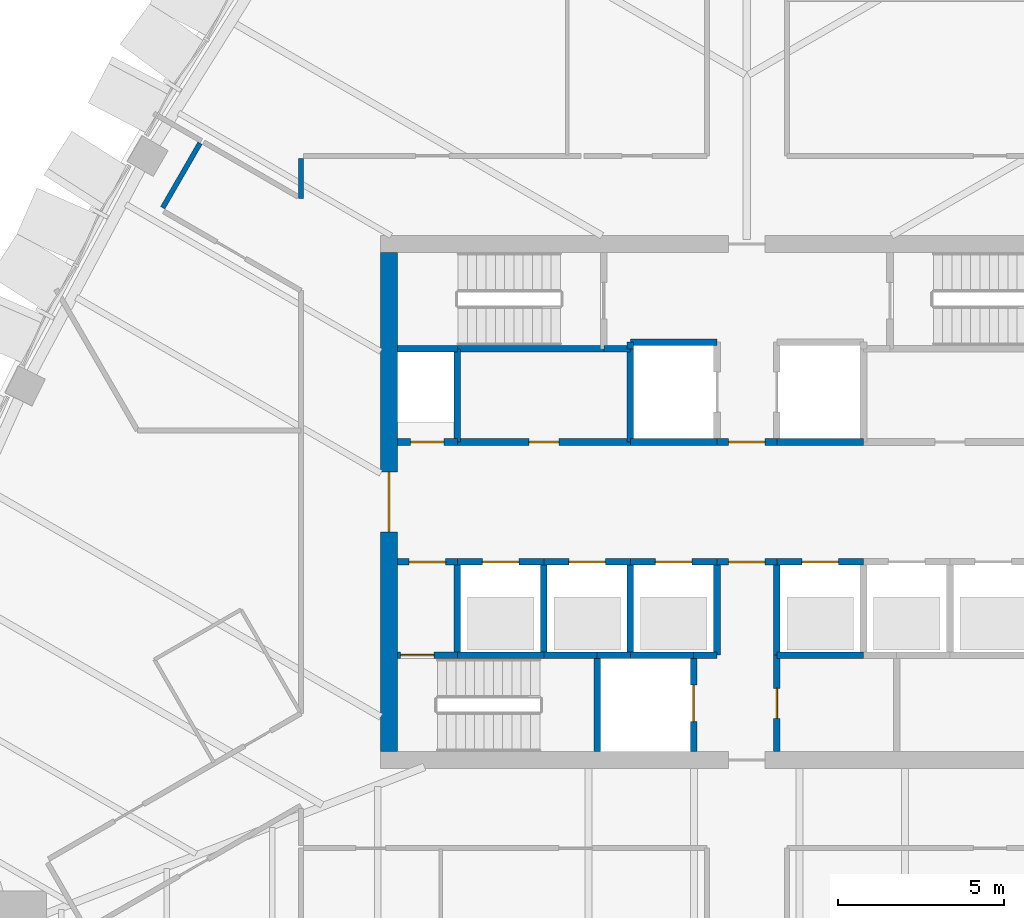
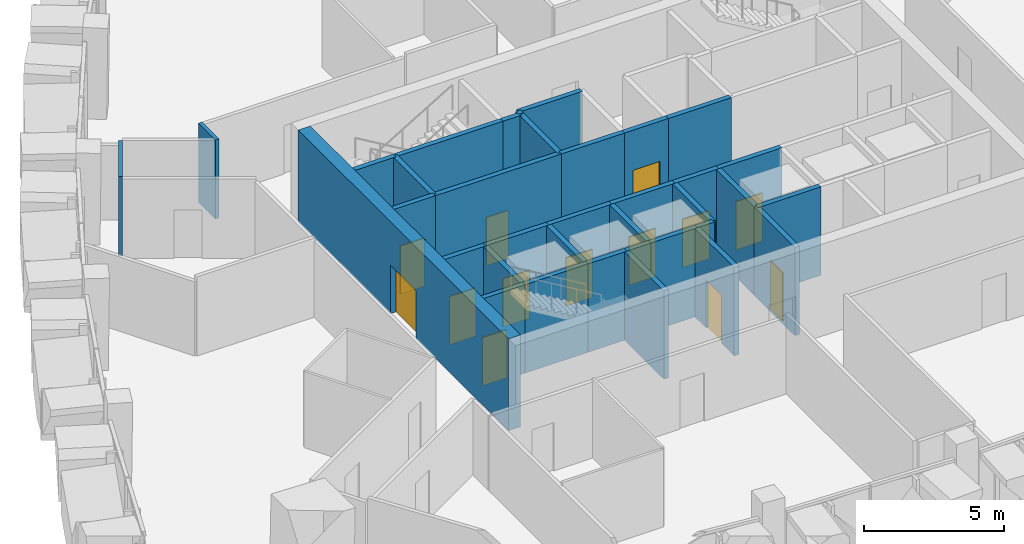
# One storey, part 13 of 19: 36 walls, 13 doors, 13 openings.
"""IFC4 building model written with IfcOpenShell, lengths in metres."""

import ifcopenshell
import ifcopenshell.guid

model = None  # the IFC model being written
_history = None  # IfcOwnerHistory: only IFC2X3 demands one
_inside = {}  # id of a spatial element -> (the spatial element, [elements in it])
_under = {}  # id of a project, library or spatial element -> (it, [spatial elements below it])
_declared = {}  # id of a project -> (the project, [libraries it declares])
_typed = {}  # id of a type object -> (the type object, [elements of that type])
_made_of = {}  # id of a material, layer set ... -> (it, [elements and type objects made of it])


def new_model(schema):
    """Start an empty IFC model of exactly this schema.

    Asked for "IFC4X3", IfcOpenShell would pick the latest addendum, in which some entities
    have other attributes; the version numbers below select the first issue.
    IFC2X3 requires an IfcOwnerHistory on every rooted entity: one is made here for all.
    """
    global model, _history
    if schema == "IFC4X3":
        model = ifcopenshell.file(schema_version=(4, 3, 0, 0))
    else:
        model = ifcopenshell.file(schema=schema)
    _inside.clear()
    _under.clear()
    _declared.clear()
    _typed.clear()
    _made_of.clear()
    _history = None
    if model.schema == "IFC2X3":
        org = make("IfcOrganization", Name="unknown")
        user = make(
            "IfcPersonAndOrganization",
            ThePerson=make("IfcPerson", FamilyName="unknown"),
            TheOrganization=org,
        )
        app = make(
            "IfcApplication",
            ApplicationDeveloper=org,
            Version="unknown",
            ApplicationFullName="unknown",
            ApplicationIdentifier="unknown",
        )
        _history = make(
            "IfcOwnerHistory",
            OwningUser=user,
            OwningApplication=app,
            ChangeAction="ADDED",
            CreationDate=0,
        )
    return model


def make(cls, **values):
    """One entity of the class cls with the attributes given. An attribute that is None is left unset."""
    return model.create_entity(
        cls, **{name: value for name, value in values.items() if value is not None}
    )


def rooted(cls, **values):
    """An entity with a GlobalId (a new one), such as an element, a storey or a relation."""
    return make(cls, GlobalId=ifcopenshell.guid.new(), OwnerHistory=_history, **values)


def si_unit(unit_type, name, prefix=None):
    """IfcSIUnit, for example si_unit("LENGTHUNIT", "METRE", prefix="MILLI")."""
    return make("IfcSIUnit", UnitType=unit_type, Prefix=prefix, Name=name)


def assignment(units):
    """IfcUnitAssignment: the units of a project."""
    return None if units is None else make("IfcUnitAssignment", Units=units)


def point(xyz):
    """IfcCartesianPoint."""
    return None if xyz is None else make("IfcCartesianPoint", Coordinates=xyz)


def direction(xyz):
    """IfcDirection."""
    return None if xyz is None else make("IfcDirection", DirectionRatios=xyz)


def frame(location, z_axis=None, x_axis=None):
    """IfcAxis2Placement3D, a coordinate frame: its origin and axes. An axis left out is left unset."""
    return make(
        "IfcAxis2Placement3D",
        Location=point(location),
        Axis=direction(z_axis),
        RefDirection=direction(x_axis),
    )


def frame_2d(location, x_axis=None):
    """IfcAxis2Placement2D, a coordinate frame in the plane: its origin and x axis."""
    return make(
        "IfcAxis2Placement2D", Location=point(location), RefDirection=direction(x_axis)
    )


def origin():
    """The frame at (0, 0, 0) with its axes left unset."""
    return frame((0.0, 0.0, 0.0))


def place(relative_to, where):
    """IfcLocalPlacement: puts the frame where relative to a parent placement (None: the world)."""
    return make(
        "IfcLocalPlacement", PlacementRelTo=relative_to, RelativePlacement=where
    )


def context(
    kind, dimensions, precision=None, world=None, true_north=None, identifier=None
):
    """IfcGeometricRepresentationContext, for example the 3D "Model" context."""
    return make(
        "IfcGeometricRepresentationContext",
        ContextIdentifier=identifier,
        ContextType=kind,
        CoordinateSpaceDimension=dimensions,
        Precision=precision,
        WorldCoordinateSystem=world,
        TrueNorth=true_north,
    )


def subcontext(parent, identifier, kind, view, scale=None):
    """IfcGeometricRepresentationSubContext, for example "Body" below "Model"."""
    return make(
        "IfcGeometricRepresentationSubContext",
        ContextIdentifier=identifier,
        ContextType=kind,
        ParentContext=parent,
        TargetScale=scale,
        TargetView=view,
    )


def project(units=None, contexts=None):
    """IfcProject with its units and contexts."""
    return rooted(
        "IfcProject",
        Name="project",
        RepresentationContexts=contexts,
        UnitsInContext=assignment(units),
    )


def spatial(cls, under=None, at=None, **own):
    """A site, building, storey or space (cls), placed at a placement, below another one or the project."""
    s = rooted(cls, ObjectPlacement=at, **own)
    if under is not None:
        _under.setdefault(under.id(), (under, []))[1].append(s)
    return s


def profile(cls, at=None, kind="AREA", **sizes):
    """A parametric profile (cls). Its sizes go by their IFC names, for example OverallWidth=200.0."""
    return make(cls, ProfileType=kind, Position=at, **sizes)


def rectangle(**sizes):
    """IfcRectangleProfileDef."""
    return profile("IfcRectangleProfileDef", **sizes)


def extrude(swept, where, along, depth):
    """IfcExtrudedAreaSolid: the profile swept, set in the frame where, extruded along a direction by depth."""
    return make(
        "IfcExtrudedAreaSolid",
        SweptArea=swept,
        Position=where,
        ExtrudedDirection=direction(along),
        Depth=depth,
    )


def shape(context_of_items, identifier, shape_type, items):
    """IfcShapeRepresentation: the items that make up one representation, for example the "Body"."""
    return make(
        "IfcShapeRepresentation",
        ContextOfItems=context_of_items,
        RepresentationIdentifier=identifier,
        RepresentationType=shape_type,
        Items=items,
    )


def material(Name=None, Category=None):
    """IfcMaterial."""
    return make("IfcMaterial", Name=Name, Category=Category)


def layer(
    of_material, thickness, ventilated=None, Name=None, Category=None, Priority=None
):
    """IfcMaterialLayer: one layer of a wall or slab, of a material (None: an air gap)."""
    return make(
        "IfcMaterialLayer",
        Material=of_material,
        LayerThickness=thickness,
        IsVentilated=ventilated,
        Name=Name,
        Category=Category,
        Priority=Priority,
    )


def layer_set(layers, Name=None):
    """IfcMaterialLayerSet."""
    return make("IfcMaterialLayerSet", MaterialLayers=layers, LayerSetName=Name)


def made_of(thing, what):
    """Note that an element or type object is made of a material, layer set ...; save() writes the relation."""
    if what is not None:
        _made_of.setdefault(what.id(), (what, []))[1].append(thing)
    return thing


def type_object(cls, material=None, **own):
    """A type object (cls), such as IfcWallType, which elements share."""
    return made_of(rooted(cls, **own), material)


def element(
    cls,
    number,
    at=None,
    inside=None,
    cuts=None,
    type_object=None,
    material=None,
    context=None,
    identifier="Body",
    shape_type=None,
    held_by="IfcProductDefinitionShape",
    body=None,
    shapes=None,
    **own,
):
    """One element of the class cls, such as IfcWall. Its Tag is "e" and its number.

    at: its placement. inside: the storey or other place that contains it. cuts: it is an
    opening in that element (IfcRelVoidsElement). A single representation is given by context,
    identifier, shape_type and body (its items); several are given by shapes. held_by: the class
    of the entity that holds the representations. save() writes the other relations.
    """
    e = rooted(cls, Tag="e%d" % number, ObjectPlacement=at, **own)
    if body is not None:
        shapes = [shape(context, identifier, shape_type, body)]
    if shapes is not None:
        e.Representation = make(held_by, Representations=shapes)
    if inside is not None:
        _inside.setdefault(inside.id(), (inside, []))[1].append(e)
    if cuts is not None:
        rooted(
            "IfcRelVoidsElement", RelatingBuildingElement=cuts, RelatedOpeningElement=e
        )
    if type_object is not None:
        _typed.setdefault(type_object.id(), (type_object, []))[1].append(e)
    return made_of(e, material)


def fill(opening, filler):
    """IfcRelFillsElement: the door or window that sits in an opening."""
    return rooted(
        "IfcRelFillsElement",
        RelatingOpeningElement=opening,
        RelatedBuildingElement=filler,
    )


def aggregate(whole, parts):
    """IfcRelAggregates: a whole, such as a stair, and the parts it consists of."""
    return rooted("IfcRelAggregates", RelatingObject=whole, RelatedObjects=parts)


def save(model, path):
    """Write the relations noted so far, then the file.

    IfcRelAggregates (storeys below a building ...), IfcRelContainedInSpatialStructure (elements
    in a storey), IfcRelDefinesByType, IfcRelAssociatesMaterial and IfcRelDeclares: one each for
    every whole, place, type object, material and project.
    """
    for whole, parts in _under.values():
        aggregate(whole, parts)
    for where, things in _inside.values():
        rooted(
            "IfcRelContainedInSpatialStructure",
            RelatedElements=things,
            RelatingStructure=where,
        )
    for kind, things in _typed.values():
        rooted("IfcRelDefinesByType", RelatedObjects=things, RelatingType=kind)
    for what, things in _made_of.values():
        rooted("IfcRelAssociatesMaterial", RelatedObjects=things, RelatingMaterial=what)
    for by, libraries in _declared.values():
        rooted("IfcRelDeclares", RelatingContext=by, RelatedDefinitions=libraries)
    model.write(path)


model = new_model("IFC4")

# Units and contexts
model_context = context("Model", 3, precision=1e-05, world=origin(), true_north=direction((0.0, 1.0)))
body_context = subcontext(model_context, "Body", "Model", "MODEL_VIEW")
ifc_project = project(units=[si_unit("LENGTHUNIT", "METRE"), si_unit("AREAUNIT", "SQUARE_METRE"), si_unit("VOLUMEUNIT", "CUBIC_METRE"), si_unit("PLANEANGLEUNIT", "RADIAN"), si_unit("MASSUNIT", "GRAM", prefix="KILO")], contexts=[model_context])

# Site, building, storey
site_placement = place(None, origin())
site = spatial("IfcSite", under=ifc_project, at=site_placement, CompositionType="ELEMENT")
building_placement = place(site_placement, origin())
building = spatial("IfcBuilding", under=site, at=building_placement, Name="Sierra Prisma Convention Tower", CompositionType="ELEMENT")
storey_placement = place(building_placement, frame((0.0, 0.0, 235.0)))
storey = spatial("IfcBuildingStorey", under=building, at=storey_placement, Name="L52", CompositionType="ELEMENT", Elevation=235.0)

# Wall, opening, door
ifc_material_1 = material(Name="Concrete C30/37", Category="concrete")
ifc_layer_1 = layer(ifc_material_1, 0.199951171875)
ifc_layer_set_1 = layer_set([ifc_layer_1], Name="Core wall RC 200 C30/37")
wall_type_1 = type_object("IfcWallType", Name="Core wall RC 200 C30/37", PredefinedType="SOLIDWALL", material=ifc_layer_set_1)
wall_1_placement = place(storey_placement, frame((-10.5, -4.60009765625, 0.0), z_axis=(0.0, 0.0, 1.0), x_axis=(1.0, 0.0, 0.0)))
wall_1 = element("IfcWall", 1, at=wall_1_placement, inside=storey, type_object=wall_type_1, Name="Core wall L52 1", PredefinedType="SOLIDWALL", context=body_context, shape_type="SweptSolid", body=[
    extrude(rectangle(XDim=1.800048828125, YDim=0.199951171875, at=frame_2d((0.89990234375, 0.0))), origin(), (0.0, 0.0, 1.0), 3.85009765625),
])
opening_1_placement = place(wall_1_placement, frame((0.10009765625, 0.0, 0.0)))
opening_1 = element("IfcOpeningElement", 2, at=opening_1_placement, cuts=wall_1, Name="Opening L52-D015", PredefinedType="OPENING", context=body_context, shape_type="SweptSolid", body=[
    extrude(rectangle(XDim=1.0, YDim=2.10009765625, at=frame_2d((0.5, 1.050048828125))), frame((0.0, 0.10009765625, 0.0), z_axis=(0.0, -1.0, 0.0), x_axis=(1.0, 0.0, 0.0)), (0.0, 0.0, 1.0), 0.199951171875),
])
ifc_material_2 = material(Name="Steel fire door leaf", Category="steel")
door_type_1 = type_object("IfcDoorType", Name="Door 1000x2100 FD90S", OperationType="SINGLE_SWING_LEFT", PredefinedType="DOOR", material=ifc_material_2)
door_1_placement = place(opening_1_placement, origin())
door_1 = element("IfcDoor", 3, at=door_1_placement, inside=storey, type_object=door_type_1, Name="Door L52 31", OperationType="SINGLE_SWING_LEFT", OverallHeight=2.10009765625, OverallWidth=1.0, PredefinedType="DOOR", context=body_context, shape_type="SweptSolid", body=[
    extrude(rectangle(XDim=1.0, YDim=2.10009765625, at=frame_2d((0.5, 1.050048828125))), frame((0.0, 0.02490234375, 0.0), z_axis=(0.0, -1.0, 0.0), x_axis=(1.0, 0.0, 0.0)), (0.0, 0.0, 1.0), 0.050048828125),
])
fill(opening_1, door_1)

wall_2_placement = place(storey_placement, frame((-10.5, -1.800048828125, 0.0), z_axis=(0.0, 0.0, 1.0), x_axis=(1.0, 0.0, 0.0)))
wall_2 = element("IfcWall", 4, at=wall_2_placement, inside=storey, type_object=wall_type_1, Name="Core wall L52 2", PredefinedType="SOLIDWALL", context=body_context, shape_type="SweptSolid", body=[
    extrude(rectangle(XDim=1.800048828125, YDim=0.199951171875, at=frame_2d((0.89990234375, 0.0))), origin(), (0.0, 0.0, 1.0), 3.85009765625),
])
opening_2_placement = place(wall_2_placement, frame((0.35009765625, 0.0, 0.0)))
opening_2 = element("IfcOpeningElement", 5, at=opening_2_placement, cuts=wall_2, Name="Opening L52-D010", PredefinedType="OPENING", context=body_context, shape_type="SweptSolid", body=[
    extrude(rectangle(XDim=1.10009765625, YDim=2.10009765625, at=frame_2d((0.550048828125, 1.050048828125))), frame((0.0, 0.10009765625, 0.0), z_axis=(0.0, -1.0, 0.0), x_axis=(1.0, 0.0, 0.0)), (0.0, 0.0, 1.0), 0.199951171875),
])
ifc_material_3 = material(Name="Steel fire door leaf", Category="steel")
door_type_2 = type_object("IfcDoorType", Name="Door 1100x2100 FD90S", OperationType="SINGLE_SWING_LEFT", PredefinedType="DOOR", material=ifc_material_3)
door_2_placement = place(opening_2_placement, origin())
door_2 = element("IfcDoor", 6, at=door_2_placement, inside=storey, type_object=door_type_2, Name="Door L52 26", OperationType="SINGLE_SWING_RIGHT", OverallHeight=2.10009765625, OverallWidth=1.10009765625, PredefinedType="DOOR", context=body_context, shape_type="SweptSolid", body=[
    extrude(rectangle(XDim=1.10009765625, YDim=2.10009765625, at=frame_2d((0.550048828125, 1.050048828125))), frame((0.0, 0.02490234375, 0.0), z_axis=(0.0, -1.0, 0.0), x_axis=(1.0, 0.0, 0.0)), (0.0, 0.0, 1.0), 0.050048828125),
])
fill(opening_2, door_2)

wall_3_placement = place(storey_placement, frame((-8.699951171875, 1.800048828125, 0.0), z_axis=(0.0, 0.0, 1.0), x_axis=(-1.0, 0.0, 0.0)))
wall_3 = element("IfcWall", 7, at=wall_3_placement, inside=storey, type_object=wall_type_1, Name="Core wall L52 3", PredefinedType="SOLIDWALL", context=body_context, shape_type="SweptSolid", body=[
    extrude(rectangle(XDim=1.800048828125, YDim=0.199951171875, at=frame_2d((0.89990234375, 0.0))), origin(), (0.0, 0.0, 1.0), 3.85009765625),
])
opening_3_placement = place(wall_3_placement, frame((0.39990234375, 0.0, 0.0)))
opening_3 = element("IfcOpeningElement", 8, at=opening_3_placement, cuts=wall_3, Name="Opening L52-D013", PredefinedType="OPENING", context=body_context, shape_type="SweptSolid", body=[
    extrude(rectangle(XDim=1.0, YDim=2.10009765625, at=frame_2d((0.5, 1.050048828125))), frame((0.0, 0.10009765625, 0.0), z_axis=(0.0, -1.0, 0.0), x_axis=(1.0, 0.0, 0.0)), (0.0, 0.0, 1.0), 0.199951171875),
])
ifc_material_4 = material(Name="Steel fire door leaf", Category="steel")
door_type_3 = type_object("IfcDoorType", Name="Door 1000x2100 FD60S", OperationType="SINGLE_SWING_LEFT", PredefinedType="DOOR", material=ifc_material_4)
door_3_placement = place(opening_3_placement, origin())
door_3 = element("IfcDoor", 9, at=door_3_placement, inside=storey, type_object=door_type_3, Name="Door L52 29", OperationType="SINGLE_SWING_LEFT", OverallHeight=2.10009765625, OverallWidth=1.0, PredefinedType="DOOR", context=body_context, shape_type="SweptSolid", body=[
    extrude(rectangle(XDim=1.0, YDim=2.10009765625, at=frame_2d((0.5, 1.050048828125))), frame((0.0, 0.02490234375, 0.0), z_axis=(0.0, -1.0, 0.0), x_axis=(1.0, 0.0, 0.0)), (0.0, 0.0, 1.0), 0.050048828125),
])
fill(opening_3, door_3)

# Walls
wall_4_placement = place(storey_placement, frame((-8.699951171875, 4.60009765625, 0.0), z_axis=(0.0, 0.0, 1.0), x_axis=(-1.0, 0.0, 0.0)))
element("IfcWall", 10, at=wall_4_placement, inside=storey, type_object=wall_type_1, Name="Core wall L52 4", PredefinedType="SOLIDWALL", context=body_context, shape_type="SweptSolid", body=[
    extrude(rectangle(XDim=1.800048828125, YDim=0.199951171875, at=frame_2d((0.89990234375, 0.0))), origin(), (0.0, 0.0, 1.0), 3.85009765625),
])
wall_5_placement = place(storey_placement, frame((-8.699951171875, -4.60009765625, 0.0), z_axis=(0.0, 0.0, 1.0), x_axis=(1.0, 0.0, 0.0)))
element("IfcWall", 11, at=wall_5_placement, inside=storey, type_object=wall_type_1, Name="Core wall L52 5", PredefinedType="SOLIDWALL", context=body_context, shape_type="SweptSolid", body=[
    extrude(rectangle(XDim=2.599853515625, YDim=0.199951171875, at=frame_2d((1.2998046875, 0.0))), origin(), (0.0, 0.0, 1.0), 3.85009765625),
])
wall_6_placement = place(storey_placement, frame((-8.699951171875, -4.60009765625, 0.0), z_axis=(0.0, 0.0, 1.0), x_axis=(0.0, 1.0, 0.0)))
element("IfcWall", 12, at=wall_6_placement, inside=storey, type_object=wall_type_1, Name="Core wall L52 6", PredefinedType="SOLIDWALL", context=body_context, shape_type="SweptSolid", body=[
    extrude(rectangle(XDim=2.800048828125, YDim=0.199951171875, at=frame_2d((1.39990234375, 0.0))), origin(), (0.0, 0.0, 1.0), 3.85009765625),
])

# Wall, opening, door
wall_7_placement = place(storey_placement, frame((-8.699951171875, -1.800048828125, 0.0), z_axis=(0.0, 0.0, 1.0), x_axis=(1.0, 0.0, 0.0)))
wall_7 = element("IfcWall", 13, at=wall_7_placement, inside=storey, type_object=wall_type_1, Name="Core wall L52 7", PredefinedType="SOLIDWALL", context=body_context, shape_type="SweptSolid", body=[
    extrude(rectangle(XDim=2.599853515625, YDim=0.199951171875, at=frame_2d((1.2998046875, 0.0))), origin(), (0.0, 0.0, 1.0), 3.85009765625),
])
opening_4_placement = place(wall_7_placement, frame((0.75, 0.0, 0.0)))
opening_4 = element("IfcOpeningElement", 14, at=opening_4_placement, cuts=wall_7, Name="Opening L52-D001", PredefinedType="OPENING", context=body_context, shape_type="SweptSolid", body=[
    extrude(rectangle(XDim=1.10009765625, YDim=2.10009765625, at=frame_2d((0.550048828125, 1.050048828125))), frame((0.0, 0.10009765625, 0.0), z_axis=(0.0, -1.0, 0.0), x_axis=(1.0, 0.0, 0.0)), (0.0, 0.0, 1.0), 0.199951171875),
])
ifc_material_5 = material(Name="Steel fire door leaf", Category="steel")
door_type_4 = type_object("IfcDoorType", Name="Door 1100x2100 EI 90 sliding lift landing", OperationType="SLIDING_TO_LEFT", PredefinedType="DOOR", material=ifc_material_5)
door_4_placement = place(opening_4_placement, origin())
door_4 = element("IfcDoor", 15, at=door_4_placement, inside=storey, type_object=door_type_4, Name="Door L52 17", OperationType="SLIDING_TO_RIGHT", OverallHeight=2.10009765625, OverallWidth=1.10009765625, PredefinedType="DOOR", context=body_context, shape_type="SweptSolid", body=[
    extrude(rectangle(XDim=1.10009765625, YDim=2.10009765625, at=frame_2d((0.550048828125, 1.050048828125))), frame((0.0, 0.02490234375, 0.0), z_axis=(0.0, -1.0, 0.0), x_axis=(1.0, 0.0, 0.0)), (0.0, 0.0, 1.0), 0.050048828125),
])
fill(opening_4, door_4)

wall_8_placement = place(storey_placement, frame((-8.699951171875, 1.800048828125, 0.0), z_axis=(0.0, 0.0, 1.0), x_axis=(1.0, 0.0, 0.0)))
wall_8 = element("IfcWall", 16, at=wall_8_placement, inside=storey, type_object=wall_type_1, Name="Core wall L52 8", PredefinedType="SOLIDWALL", context=body_context, shape_type="SweptSolid", body=[
    extrude(rectangle(XDim=5.199951171875, YDim=0.199951171875, at=frame_2d((2.60009765625, 0.0))), origin(), (0.0, 0.0, 1.0), 3.85009765625),
])
opening_5_placement = place(wall_8_placement, frame((2.14990234375, 0.0, 0.0)))
opening_5 = element("IfcOpeningElement", 17, at=opening_5_placement, cuts=wall_8, Name="Opening L52-D019", PredefinedType="OPENING", context=body_context, shape_type="SweptSolid", body=[
    extrude(rectangle(XDim=0.89990234375, YDim=2.10009765625, at=frame_2d((0.449951171875, 1.050048828125))), frame((0.0, 0.10009765625, 0.0), z_axis=(0.0, -1.0, 0.0), x_axis=(1.0, 0.0, 0.0)), (0.0, 0.0, 1.0), 0.199951171875),
])
ifc_material_6 = material(Name="Steel fire door leaf", Category="steel")
door_type_5 = type_object("IfcDoorType", Name="Door 900x2100 FD30S", OperationType="SINGLE_SWING_LEFT", PredefinedType="DOOR", material=ifc_material_6)
door_5_placement = place(opening_5_placement, origin())
door_5 = element("IfcDoor", 18, at=door_5_placement, inside=storey, type_object=door_type_5, Name="Door L52 35", OperationType="SINGLE_SWING_RIGHT", OverallHeight=2.10009765625, OverallWidth=0.89990234375, PredefinedType="DOOR", context=body_context, shape_type="SweptSolid", body=[
    extrude(rectangle(XDim=0.89990234375, YDim=2.10009765625, at=frame_2d((0.449951171875, 1.050048828125))), frame((0.0, 0.02490234375, 0.0), z_axis=(0.0, -1.0, 0.0), x_axis=(1.0, 0.0, 0.0)), (0.0, 0.0, 1.0), 0.050048828125),
])
fill(opening_5, door_5)

# Walls
wall_9_placement = place(storey_placement, frame((-8.699951171875, 4.60009765625, 0.0), z_axis=(0.0, 0.0, 1.0), x_axis=(0.0, -1.0, 0.0)))
element("IfcWall", 19, at=wall_9_placement, inside=storey, type_object=wall_type_1, Name="Core wall L52 9", PredefinedType="SOLIDWALL", context=body_context, shape_type="SweptSolid", body=[
    extrude(rectangle(XDim=2.800048828125, YDim=0.199951171875, at=frame_2d((1.39990234375, 0.0))), origin(), (0.0, 0.0, 1.0), 3.85009765625),
])
wall_10_placement = place(storey_placement, frame((-4.300048828125, 4.60009765625, 0.0), z_axis=(0.0, 0.0, 1.0), x_axis=(-1.0, 0.0, 0.0)))
element("IfcWall", 20, at=wall_10_placement, inside=storey, type_object=wall_type_1, Name="Core wall L52 10", PredefinedType="SOLIDWALL", context=body_context, shape_type="SweptSolid", body=[
    extrude(rectangle(XDim=4.39990234375, YDim=0.199951171875, at=frame_2d((2.199951171875, 0.0))), origin(), (0.0, 0.0, 1.0), 3.85009765625),
])
wall_11_placement = place(storey_placement, frame((-6.10009765625, -4.60009765625, 0.0), z_axis=(0.0, 0.0, 1.0), x_axis=(1.0, 0.0, 0.0)))
element("IfcWall", 21, at=wall_11_placement, inside=storey, type_object=wall_type_1, Name="Core wall L52 11", PredefinedType="SOLIDWALL", context=body_context, shape_type="SweptSolid", body=[
    extrude(rectangle(XDim=1.60009765625, YDim=0.199951171875, at=frame_2d((0.800048828125, 0.0))), origin(), (0.0, 0.0, 1.0), 3.85009765625),
])
wall_12_placement = place(storey_placement, frame((-6.10009765625, -4.60009765625, 0.0), z_axis=(0.0, 0.0, 1.0), x_axis=(0.0, 1.0, 0.0)))
element("IfcWall", 22, at=wall_12_placement, inside=storey, type_object=wall_type_1, Name="Core wall L52 12", PredefinedType="SOLIDWALL", context=body_context, shape_type="SweptSolid", body=[
    extrude(rectangle(XDim=2.800048828125, YDim=0.199951171875, at=frame_2d((1.39990234375, 0.0))), origin(), (0.0, 0.0, 1.0), 3.85009765625),
])

# Wall, opening, door
wall_13_placement = place(storey_placement, frame((-6.10009765625, -1.800048828125, 0.0), z_axis=(0.0, 0.0, 1.0), x_axis=(1.0, 0.0, 0.0)))
wall_13 = element("IfcWall", 23, at=wall_13_placement, inside=storey, type_object=wall_type_1, Name="Core wall L52 13", PredefinedType="SOLIDWALL", context=body_context, shape_type="SweptSolid", body=[
    extrude(rectangle(XDim=2.60009765625, YDim=0.199951171875, at=frame_2d((1.300048828125, 0.0))), origin(), (0.0, 0.0, 1.0), 3.85009765625),
])
opening_6_placement = place(wall_13_placement, frame((0.75, 0.0, 0.0)))
opening_6 = element("IfcOpeningElement", 24, at=opening_6_placement, cuts=wall_13, Name="Opening L52-D002", PredefinedType="OPENING", context=body_context, shape_type="SweptSolid", body=[
    extrude(rectangle(XDim=1.10009765625, YDim=2.10009765625, at=frame_2d((0.550048828125, 1.050048828125))), frame((0.0, 0.10009765625, 0.0), z_axis=(0.0, -1.0, 0.0), x_axis=(1.0, 0.0, 0.0)), (0.0, 0.0, 1.0), 0.199951171875),
])
door_6_placement = place(opening_6_placement, origin())
door_6 = element("IfcDoor", 25, at=door_6_placement, inside=storey, type_object=door_type_4, Name="Door L52 18", OperationType="SLIDING_TO_RIGHT", OverallHeight=2.10009765625, OverallWidth=1.10009765625, PredefinedType="DOOR", context=body_context, shape_type="SweptSolid", body=[
    extrude(rectangle(XDim=1.10009765625, YDim=2.10009765625, at=frame_2d((0.550048828125, 1.050048828125))), frame((0.0, 0.02490234375, 0.0), z_axis=(0.0, -1.0, 0.0), x_axis=(1.0, 0.0, 0.0)), (0.0, 0.0, 1.0), 0.050048828125),
])
fill(opening_6, door_6)

# Walls
wall_14_placement = place(storey_placement, frame((-4.5, -4.60009765625, 0.0), z_axis=(0.0, 0.0, 1.0), x_axis=(0.0, -1.0, 0.0)))
element("IfcWall", 26, at=wall_14_placement, inside=storey, type_object=wall_type_1, Name="Core wall L52 14", PredefinedType="SOLIDWALL", context=body_context, shape_type="SweptSolid", body=[
    extrude(rectangle(XDim=2.89990234375, YDim=0.199951171875, at=frame_2d((1.449951171875, 0.0))), origin(), (0.0, 0.0, 1.0), 3.85009765625),
])
wall_15_placement = place(storey_placement, frame((-4.5, -4.60009765625, 0.0), z_axis=(0.0, 0.0, 1.0), x_axis=(1.0, 0.0, 0.0)))
element("IfcWall", 27, at=wall_15_placement, inside=storey, type_object=wall_type_1, Name="Core wall L52 15", PredefinedType="SOLIDWALL", context=body_context, shape_type="SweptSolid", body=[
    extrude(rectangle(XDim=1.0, YDim=0.199951171875, at=frame_2d((0.5, 0.0))), origin(), (0.0, 0.0, 1.0), 3.85009765625),
])
wall_16_placement = place(storey_placement, frame((-3.5, 4.60009765625, 0.0), z_axis=(0.0, 0.0, 1.0), x_axis=(-1.0, 0.0, 0.0)))
element("IfcWall", 28, at=wall_16_placement, inside=storey, type_object=wall_type_1, Name="Core wall L52 16", PredefinedType="SOLIDWALL", context=body_context, shape_type="SweptSolid", body=[
    extrude(rectangle(XDim=0.800048828125, YDim=0.199951171875, at=frame_2d((0.39990234375, 0.0))), origin(), (0.0, 0.0, 1.0), 3.85009765625),
])
wall_17_placement = place(storey_placement, frame((-3.5, -4.60009765625, 0.0), z_axis=(0.0, 0.0, 1.0), x_axis=(1.0, 0.0, 0.0)))
element("IfcWall", 29, at=wall_17_placement, inside=storey, type_object=wall_type_1, Name="Core wall L52 18", PredefinedType="SOLIDWALL", context=body_context, shape_type="SweptSolid", body=[
    extrude(rectangle(XDim=1.89990234375, YDim=0.199951171875, at=frame_2d((0.949951171875, 0.0))), origin(), (0.0, 0.0, 1.0), 3.85009765625),
])
wall_18_placement = place(storey_placement, frame((-3.5, -4.60009765625, 0.0), z_axis=(0.0, 0.0, 1.0), x_axis=(0.0, 1.0, 0.0)))
element("IfcWall", 30, at=wall_18_placement, inside=storey, type_object=wall_type_1, Name="Core wall L52 19", PredefinedType="SOLIDWALL", context=body_context, shape_type="SweptSolid", body=[
    extrude(rectangle(XDim=2.800048828125, YDim=0.199951171875, at=frame_2d((1.39990234375, 0.0))), origin(), (0.0, 0.0, 1.0), 3.85009765625),
])

# Wall, opening, door
wall_19_placement = place(storey_placement, frame((-3.5, -1.800048828125, 0.0), z_axis=(0.0, 0.0, 1.0), x_axis=(1.0, 0.0, 0.0)))
wall_19 = element("IfcWall", 31, at=wall_19_placement, inside=storey, type_object=wall_type_1, Name="Core wall L52 20", PredefinedType="SOLIDWALL", context=body_context, shape_type="SweptSolid", body=[
    extrude(rectangle(XDim=2.60009765625, YDim=0.199951171875, at=frame_2d((1.300048828125, 0.0))), origin(), (0.0, 0.0, 1.0), 3.85009765625),
])
opening_7_placement = place(wall_19_placement, frame((0.75, 0.0, 0.0)))
opening_7 = element("IfcOpeningElement", 32, at=opening_7_placement, cuts=wall_19, Name="Opening L52-D003", PredefinedType="OPENING", context=body_context, shape_type="SweptSolid", body=[
    extrude(rectangle(XDim=1.10009765625, YDim=2.10009765625, at=frame_2d((0.550048828125, 1.050048828125))), frame((0.0, 0.10009765625, 0.0), z_axis=(0.0, -1.0, 0.0), x_axis=(1.0, 0.0, 0.0)), (0.0, 0.0, 1.0), 0.199951171875),
])
door_7_placement = place(opening_7_placement, origin())
door_7 = element("IfcDoor", 33, at=door_7_placement, inside=storey, type_object=door_type_4, Name="Door L52 19", OperationType="SLIDING_TO_RIGHT", OverallHeight=2.10009765625, OverallWidth=1.10009765625, PredefinedType="DOOR", context=body_context, shape_type="SweptSolid", body=[
    extrude(rectangle(XDim=1.10009765625, YDim=2.10009765625, at=frame_2d((0.550048828125, 1.050048828125))), frame((0.0, 0.02490234375, 0.0), z_axis=(0.0, -1.0, 0.0), x_axis=(1.0, 0.0, 0.0)), (0.0, 0.0, 1.0), 0.050048828125),
])
fill(opening_7, door_7)

# Walls
wall_20_placement = place(storey_placement, frame((-0.89990234375, 1.800048828125, 0.0), z_axis=(0.0, 0.0, 1.0), x_axis=(-1.0, 0.0, 0.0)))
element("IfcWall", 34, at=wall_20_placement, inside=storey, type_object=wall_type_1, Name="Core wall L52 21", PredefinedType="SOLIDWALL", context=body_context, shape_type="SweptSolid", body=[
    extrude(rectangle(XDim=2.60009765625, YDim=0.199951171875, at=frame_2d((1.300048828125, 0.0))), origin(), (0.0, 0.0, 1.0), 3.85009765625),
])
wall_21_placement = place(storey_placement, frame((-3.5, 1.800048828125, 0.0), z_axis=(0.0, 0.0, 1.0), x_axis=(0.0, 1.0, 0.0)))
element("IfcWall", 35, at=wall_21_placement, inside=storey, type_object=wall_type_1, Name="Core wall L52 22", PredefinedType="SOLIDWALL", context=body_context, shape_type="SweptSolid", body=[
    extrude(rectangle(XDim=2.800048828125, YDim=0.199951171875, at=frame_2d((1.39990234375, 0.0))), origin(), (0.0, 0.0, 1.0), 3.85009765625),
])
wall_22_placement = place(storey_placement, frame((-0.89990234375, 4.800048828125, 0.0), z_axis=(0.0, 0.0, 1.0), x_axis=(-1.0, 0.0, 0.0)))
element("IfcWall", 36, at=wall_22_placement, inside=storey, type_object=wall_type_1, Name="Core wall L52 24", PredefinedType="SOLIDWALL", context=body_context, shape_type="SweptSolid", body=[
    extrude(rectangle(XDim=2.60009765625, YDim=0.199951171875, at=frame_2d((1.300048828125, 0.0))), origin(), (0.0, 0.0, 1.0), 3.85009765625),
])
wall_23_placement = place(storey_placement, frame((-3.5, 4.800048828125, 0.0), z_axis=(0.0, 0.0, 1.0), x_axis=(0.0, -1.0, 0.0)))
element("IfcWall", 37, at=wall_23_placement, inside=storey, type_object=wall_type_1, Name="Core wall L52 25", PredefinedType="SOLIDWALL", context=body_context, shape_type="SweptSolid", body=[
    extrude(rectangle(XDim=0.199951171875, YDim=0.199951171875, at=frame_2d((0.10009765625, 0.0))), origin(), (0.0, 0.0, 1.0), 3.85009765625),
])

# Wall, opening, door
wall_24_placement = place(storey_placement, frame((-1.60009765625, -7.5, 0.0), z_axis=(0.0, 0.0, 1.0), x_axis=(0.0, 1.0, 0.0)))
wall_24 = element("IfcWall", 38, at=wall_24_placement, inside=storey, type_object=wall_type_1, Name="Core wall L52 26", PredefinedType="SOLIDWALL", context=body_context, shape_type="SweptSolid", body=[
    extrude(rectangle(XDim=2.89990234375, YDim=0.199951171875, at=frame_2d((1.449951171875, 0.0))), origin(), (0.0, 0.0, 1.0), 3.85009765625),
])
opening_8_placement = place(wall_24_placement, frame((0.89990234375, 0.0, 0.0)))
opening_8 = element("IfcOpeningElement", 39, at=opening_8_placement, cuts=wall_24, Name="Opening L52-D009", PredefinedType="OPENING", context=body_context, shape_type="SweptSolid", body=[
    extrude(rectangle(XDim=1.10009765625, YDim=2.10009765625, at=frame_2d((0.550048828125, 1.050048828125))), frame((0.0, 0.10009765625, 0.0), z_axis=(0.0, -1.0, 0.0), x_axis=(1.0, 0.0, 0.0)), (0.0, 0.0, 1.0), 0.199951171875),
])
door_8_placement = place(opening_8_placement, origin())
door_8 = element("IfcDoor", 40, at=door_8_placement, inside=storey, type_object=door_type_4, Name="Door L52 25", OperationType="SLIDING_TO_RIGHT", OverallHeight=2.10009765625, OverallWidth=1.10009765625, PredefinedType="DOOR", context=body_context, shape_type="SweptSolid", body=[
    extrude(rectangle(XDim=1.10009765625, YDim=2.10009765625, at=frame_2d((0.550048828125, 1.050048828125))), frame((0.0, 0.02490234375, 0.0), z_axis=(0.0, -1.0, 0.0), x_axis=(1.0, 0.0, 0.0)), (0.0, 0.0, 1.0), 0.050048828125),
])
fill(opening_8, door_8)

# Walls
wall_25_placement = place(storey_placement, frame((-1.60009765625, -4.60009765625, 0.0), z_axis=(0.0, 0.0, 1.0), x_axis=(1.0, 0.0, 0.0)))
element("IfcWall", 41, at=wall_25_placement, inside=storey, type_object=wall_type_1, Name="Core wall L52 27", PredefinedType="SOLIDWALL", context=body_context, shape_type="SweptSolid", body=[
    extrude(rectangle(XDim=0.7001953125, YDim=0.199951171875, at=frame_2d((0.35009765625, 0.0))), origin(), (0.0, 0.0, 1.0), 3.85009765625),
])
wall_26_placement = place(storey_placement, frame((-0.89990234375, -4.60009765625, 0.0), z_axis=(0.0, 0.0, 1.0), x_axis=(0.0, 1.0, 0.0)))
element("IfcWall", 42, at=wall_26_placement, inside=storey, type_object=wall_type_1, Name="Core wall L52 28", PredefinedType="SOLIDWALL", context=body_context, shape_type="SweptSolid", body=[
    extrude(rectangle(XDim=2.800048828125, YDim=0.199951171875, at=frame_2d((1.39990234375, 0.0))), origin(), (0.0, 0.0, 1.0), 3.85009765625),
])

# Wall, opening, door
wall_27_placement = place(storey_placement, frame((-0.89990234375, -1.800048828125, 0.0), z_axis=(0.0, 0.0, 1.0), x_axis=(1.0, 0.0, 0.0)))
wall_27 = element("IfcWall", 43, at=wall_27_placement, inside=storey, type_object=wall_type_1, Name="Core wall L52 29", PredefinedType="SOLIDWALL", context=body_context, shape_type="SweptSolid", body=[
    extrude(rectangle(XDim=1.7998046875, YDim=0.199951171875, at=frame_2d((0.89990234375, 0.0))), origin(), (0.0, 0.0, 1.0), 3.85009765625),
])
opening_9_placement = place(wall_27_placement, frame((0.35009765625, 0.0, 0.0)))
opening_9 = element("IfcOpeningElement", 44, at=opening_9_placement, cuts=wall_27, Name="Opening L52-D012", PredefinedType="OPENING", context=body_context, shape_type="SweptSolid", body=[
    extrude(rectangle(XDim=1.10009765625, YDim=2.10009765625, at=frame_2d((0.550048828125, 1.050048828125))), frame((0.0, 0.10009765625, 0.0), z_axis=(0.0, -1.0, 0.0), x_axis=(1.0, 0.0, 0.0)), (0.0, 0.0, 1.0), 0.199951171875),
])
ifc_material_7 = material(Name="Steel fire door leaf", Category="steel")
door_type_6 = type_object("IfcDoorType", Name="Door 1100x2100 FD30S", OperationType="SINGLE_SWING_LEFT", PredefinedType="DOOR", material=ifc_material_7)
door_9_placement = place(opening_9_placement, origin())
door_9 = element("IfcDoor", 45, at=door_9_placement, inside=storey, type_object=door_type_6, Name="Door L52 28", OperationType="SINGLE_SWING_RIGHT", OverallHeight=2.10009765625, OverallWidth=1.10009765625, PredefinedType="DOOR", context=body_context, shape_type="SweptSolid", body=[
    extrude(rectangle(XDim=1.10009765625, YDim=2.10009765625, at=frame_2d((0.550048828125, 1.050048828125))), frame((0.0, 0.02490234375, 0.0), z_axis=(0.0, -1.0, 0.0), x_axis=(1.0, 0.0, 0.0)), (0.0, 0.0, 1.0), 0.050048828125),
])
fill(opening_9, door_9)

wall_28_placement = place(storey_placement, frame((0.89990234375, 1.800048828125, 0.0), z_axis=(0.0, 0.0, 1.0), x_axis=(-1.0, 0.0, 0.0)))
wall_28 = element("IfcWall", 46, at=wall_28_placement, inside=storey, type_object=wall_type_1, Name="Core wall L52 30", PredefinedType="SOLIDWALL", context=body_context, shape_type="SweptSolid", body=[
    extrude(rectangle(XDim=1.7998046875, YDim=0.199951171875, at=frame_2d((0.89990234375, 0.0))), origin(), (0.0, 0.0, 1.0), 3.85009765625),
])
opening_10_placement = place(wall_28_placement, frame((0.35009765625, 0.0, 0.0)))
opening_10 = element("IfcOpeningElement", 47, at=opening_10_placement, cuts=wall_28, Name="Opening L52-D011", PredefinedType="OPENING", context=body_context, shape_type="SweptSolid", body=[
    extrude(rectangle(XDim=1.10009765625, YDim=2.10009765625, at=frame_2d((0.550048828125, 1.050048828125))), frame((0.0, 0.10009765625, 0.0), z_axis=(0.0, -1.0, 0.0), x_axis=(1.0, 0.0, 0.0)), (0.0, 0.0, 1.0), 0.199951171875),
])
ifc_material_8 = material(Name="Steel fire door leaf", Category="steel")
door_type_7 = type_object("IfcDoorType", Name="Door 1100x2100 FD60S", OperationType="SINGLE_SWING_LEFT", PredefinedType="DOOR", material=ifc_material_8)
door_10_placement = place(opening_10_placement, origin())
door_10 = element("IfcDoor", 48, at=door_10_placement, inside=storey, type_object=door_type_7, Name="Door L52 27", OperationType="SINGLE_SWING_RIGHT", OverallHeight=2.10009765625, OverallWidth=1.10009765625, PredefinedType="DOOR", context=body_context, shape_type="SweptSolid", body=[
    extrude(rectangle(XDim=1.10009765625, YDim=2.10009765625, at=frame_2d((0.550048828125, 1.050048828125))), frame((0.0, 0.02490234375, 0.0), z_axis=(0.0, -1.0, 0.0), x_axis=(1.0, 0.0, 0.0)), (0.0, 0.0, 1.0), 0.050048828125),
])
fill(opening_10, door_10)

wall_29_placement = place(storey_placement, frame((0.89990234375, -4.60009765625, 0.0), z_axis=(0.0, 0.0, 1.0), x_axis=(0.0, -1.0, 0.0)))
wall_29 = element("IfcWall", 49, at=wall_29_placement, inside=storey, type_object=wall_type_1, Name="Core wall L52 31", PredefinedType="SOLIDWALL", context=body_context, shape_type="SweptSolid", body=[
    extrude(rectangle(XDim=2.89990234375, YDim=0.199951171875, at=frame_2d((1.449951171875, 0.0))), origin(), (0.0, 0.0, 1.0), 3.85009765625),
])
opening_11_placement = place(wall_29_placement, frame((1.0, 0.0, 0.0)))
opening_11 = element("IfcOpeningElement", 50, at=opening_11_placement, cuts=wall_29, Name="Opening L52-D022", PredefinedType="OPENING", context=body_context, shape_type="SweptSolid", body=[
    extrude(rectangle(XDim=0.89990234375, YDim=2.10009765625, at=frame_2d((0.449951171875, 1.050048828125))), frame((0.0, 0.10009765625, 0.0), z_axis=(0.0, -1.0, 0.0), x_axis=(1.0, 0.0, 0.0)), (0.0, 0.0, 1.0), 0.199951171875),
])
door_11_placement = place(opening_11_placement, origin())
door_11 = element("IfcDoor", 51, at=door_11_placement, inside=storey, type_object=door_type_5, Name="Door L52 38", OperationType="SINGLE_SWING_LEFT", OverallHeight=2.10009765625, OverallWidth=0.89990234375, PredefinedType="DOOR", context=body_context, shape_type="SweptSolid", body=[
    extrude(rectangle(XDim=0.89990234375, YDim=2.10009765625, at=frame_2d((0.449951171875, 1.050048828125))), frame((0.0, 0.02490234375, 0.0), z_axis=(0.0, -1.0, 0.0), x_axis=(1.0, 0.0, 0.0)), (0.0, 0.0, 1.0), 0.050048828125),
])
fill(opening_11, door_11)

# Walls
wall_30_placement = place(storey_placement, frame((3.5, -4.60009765625, 0.0), z_axis=(0.0, 0.0, 1.0), x_axis=(-1.0, 0.0, 0.0)))
element("IfcWall", 52, at=wall_30_placement, inside=storey, type_object=wall_type_1, Name="Core wall L52 32", PredefinedType="SOLIDWALL", context=body_context, shape_type="SweptSolid", body=[
    extrude(rectangle(XDim=2.60009765625, YDim=0.199951171875, at=frame_2d((1.300048828125, 0.0))), origin(), (0.0, 0.0, 1.0), 3.85009765625),
])
wall_31_placement = place(storey_placement, frame((0.89990234375, -1.800048828125, 0.0), z_axis=(0.0, 0.0, 1.0), x_axis=(0.0, -1.0, 0.0)))
element("IfcWall", 53, at=wall_31_placement, inside=storey, type_object=wall_type_1, Name="Core wall L52 33", PredefinedType="SOLIDWALL", context=body_context, shape_type="SweptSolid", body=[
    extrude(rectangle(XDim=2.800048828125, YDim=0.199951171875, at=frame_2d((1.39990234375, 0.0))), origin(), (0.0, 0.0, 1.0), 3.85009765625),
])

# Wall, opening, door
wall_32_placement = place(storey_placement, frame((0.89990234375, -1.800048828125, 0.0), z_axis=(0.0, 0.0, 1.0), x_axis=(1.0, 0.0, 0.0)))
wall_32 = element("IfcWall", 54, at=wall_32_placement, inside=storey, type_object=wall_type_1, Name="Core wall L52 34", PredefinedType="SOLIDWALL", context=body_context, shape_type="SweptSolid", body=[
    extrude(rectangle(XDim=2.60009765625, YDim=0.199951171875, at=frame_2d((1.300048828125, 0.0))), origin(), (0.0, 0.0, 1.0), 3.85009765625),
])
opening_12_placement = place(wall_32_placement, frame((0.75, 0.0, 0.0)))
opening_12 = element("IfcOpeningElement", 55, at=opening_12_placement, cuts=wall_32, Name="Opening L52-D004", PredefinedType="OPENING", context=body_context, shape_type="SweptSolid", body=[
    extrude(rectangle(XDim=1.10009765625, YDim=2.10009765625, at=frame_2d((0.550048828125, 1.050048828125))), frame((0.0, 0.10009765625, 0.0), z_axis=(0.0, -1.0, 0.0), x_axis=(1.0, 0.0, 0.0)), (0.0, 0.0, 1.0), 0.199951171875),
])
door_12_placement = place(opening_12_placement, origin())
door_12 = element("IfcDoor", 56, at=door_12_placement, inside=storey, type_object=door_type_4, Name="Door L52 20", OperationType="SLIDING_TO_LEFT", OverallHeight=2.10009765625, OverallWidth=1.10009765625, PredefinedType="DOOR", context=body_context, shape_type="SweptSolid", body=[
    extrude(rectangle(XDim=1.10009765625, YDim=2.10009765625, at=frame_2d((0.550048828125, 1.050048828125))), frame((0.0, 0.02490234375, 0.0), z_axis=(0.0, -1.0, 0.0), x_axis=(1.0, 0.0, 0.0)), (0.0, 0.0, 1.0), 0.050048828125),
])
fill(opening_12, door_12)

# Wall
wall_33_placement = place(storey_placement, frame((3.5, 1.800048828125, 0.0), z_axis=(0.0, 0.0, 1.0), x_axis=(-1.0, 0.0, 0.0)))
element("IfcWall", 57, at=wall_33_placement, inside=storey, type_object=wall_type_1, Name="Core wall L52 35", PredefinedType="SOLIDWALL", context=body_context, shape_type="SweptSolid", body=[
    extrude(rectangle(XDim=2.60009765625, YDim=0.199951171875, at=frame_2d((1.300048828125, 0.0))), origin(), (0.0, 0.0, 1.0), 3.85009765625),
])

# Wall, opening, door
ifc_material_9 = material(Name="Concrete C50/60", Category="concrete")
ifc_layer_2 = layer(ifc_material_9, 0.5)
ifc_layer_set_2 = layer_set([ifc_layer_2], Name="Core wall RC 500 C50/60")
wall_type_2 = type_object("IfcWallType", Name="Core wall RC 500 C50/60", PredefinedType="SHEAR", material=ifc_layer_set_2)
wall_34_placement = place(storey_placement, frame((-10.75, -7.5, 0.0), z_axis=(0.0, 0.0, 1.0), x_axis=(0.0, 1.0, 0.0)))
wall_34 = element("IfcWall", 58, at=wall_34_placement, inside=storey, type_object=wall_type_2, Name="Core wall W L52", PredefinedType="SHEAR", context=body_context, shape_type="SweptSolid", body=[
    extrude(rectangle(XDim=15.0, YDim=0.5, at=frame_2d((7.5, 0.0))), origin(), (0.0, 0.0, 1.0), 4.0),
])
opening_13_placement = place(wall_34_placement, frame((6.60009765625, 0.0, 0.0)))
opening_13 = element("IfcOpeningElement", 59, at=opening_13_placement, cuts=wall_34, Name="Opening L52-D042", PredefinedType="OPENING", context=body_context, shape_type="SweptSolid", body=[
    extrude(rectangle(XDim=1.800048828125, YDim=2.10009765625, at=frame_2d((0.89990234375, 1.050048828125))), frame((0.0, 0.25, 0.0), z_axis=(0.0, -1.0, 0.0), x_axis=(1.0, 0.0, 0.0)), (0.0, 0.0, 1.0), 0.5),
])
ifc_material_10 = material(Name="Steel fire door leaf", Category="steel")
door_type_8 = type_object("IfcDoorType", Name="Door 1800x2100 FD60S", OperationType="DOUBLE_DOOR_SINGLE_SWING", PredefinedType="DOOR", material=ifc_material_10)
door_13_placement = place(opening_13_placement, origin())
door_13 = element("IfcDoor", 60, at=door_13_placement, inside=storey, type_object=door_type_8, Name="Door L52 39", OperationType="DOUBLE_DOOR_SINGLE_SWING", OverallHeight=2.10009765625, OverallWidth=1.800048828125, PredefinedType="DOOR", context=body_context, shape_type="SweptSolid", body=[
    extrude(rectangle(XDim=1.800048828125, YDim=2.10009765625, at=frame_2d((0.89990234375, 1.050048828125))), frame((0.0, 0.02490234375, 0.0), z_axis=(0.0, -1.0, 0.0), x_axis=(1.0, 0.0, 0.0)), (0.0, 0.0, 1.0), 0.050048828125),
])
fill(opening_13, door_13)

# Walls
ifc_material_11 = material(Name="Gypsum board partition", Category="gypsum")
ifc_layer_3 = layer(ifc_material_11, 0.14990234375)
ifc_layer_set_3 = layer_set([ifc_layer_3], Name="Corridor wall 150 gypsum EI 60")
wall_type_3 = type_object("IfcWallType", Name="Corridor wall 150 gypsum EI 60", PredefinedType="PARTITIONING", material=ifc_layer_set_3)
wall_35_placement = place(storey_placement, frame((-16.428955078125, 10.778564453125, 0.0), z_axis=(0.0, 0.0, 1.0), x_axis=(-0.49994888933, -0.866054910533, 0.0)))
element("IfcWall", 61, at=wall_35_placement, inside=storey, type_object=wall_type_3, Name="Partition L52 corr 7", PredefinedType="PARTITIONING", context=body_context, shape_type="SweptSolid", body=[
    extrude(rectangle(XDim=2.239990234375, YDim=0.14990234375, at=frame_2d((1.1201171875, 0.0))), origin(), (0.0, 0.0, 1.0), 3.449951171875),
])
wall_36_placement = place(storey_placement, frame((-13.39990234375, 10.320068359375, 0.0), z_axis=(0.0, 0.0, 1.0), x_axis=(0.0, -1.0, 0.0)))
element("IfcWall", 62, at=wall_36_placement, inside=storey, type_object=wall_type_3, Name="Partition L52 corr 8", PredefinedType="PARTITIONING", context=body_context, shape_type="SweptSolid", body=[
    extrude(rectangle(XDim=1.197998046875, YDim=0.14990234375, at=frame_2d((0.59912109375, 0.0))), origin(), (0.0, 0.0, 1.0), 3.449951171875),
])

save(model, "model.ifc")
